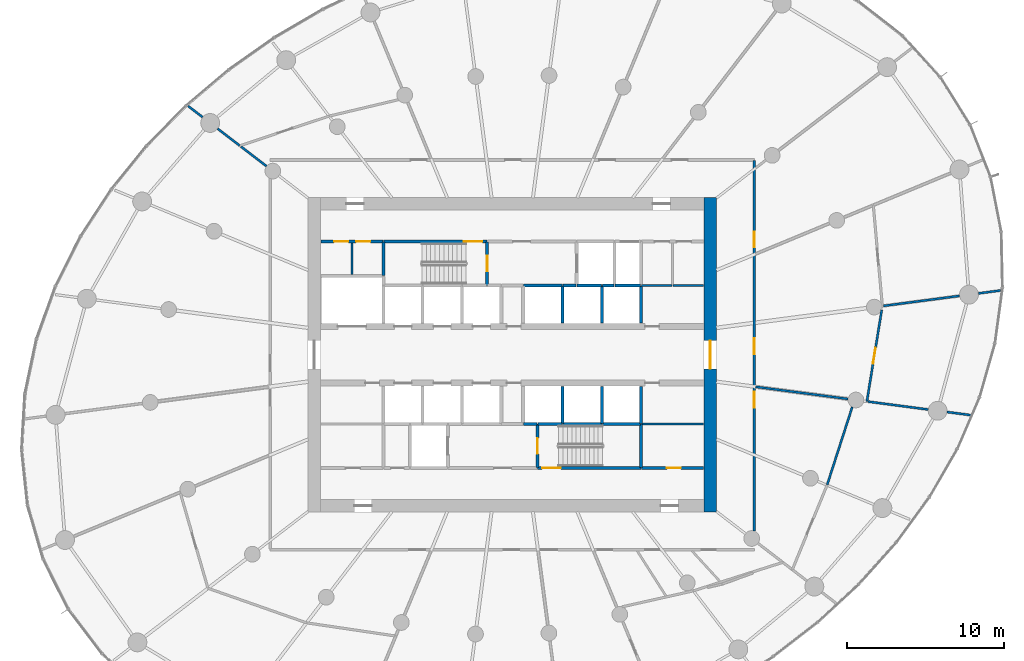
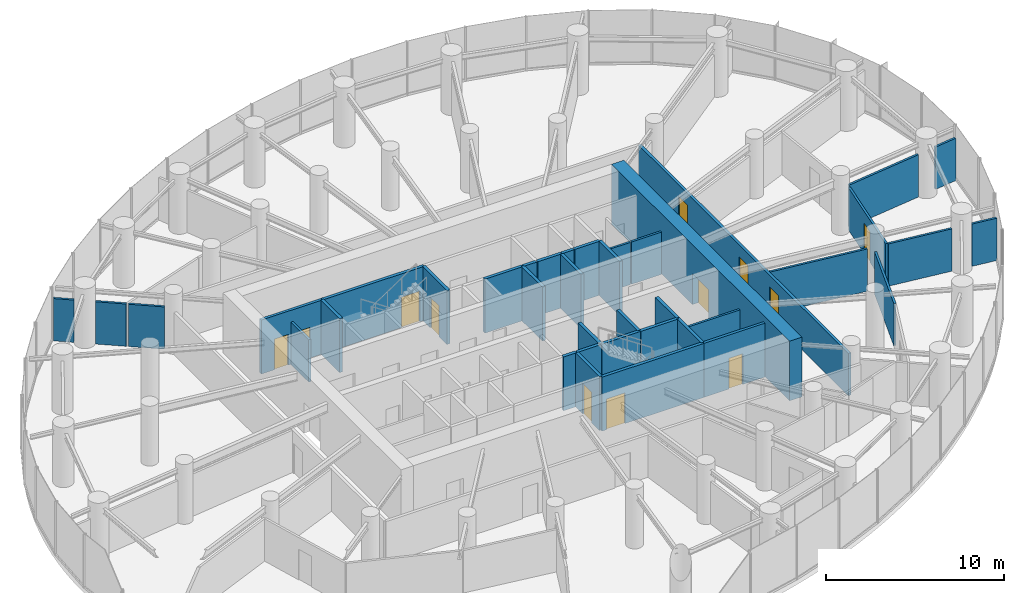
# One storey, part 12 of 17: 39 walls, 12 doors, 12 openings.
"""IFC4 building model written with IfcOpenShell, lengths in metres."""

import ifcopenshell
import ifcopenshell.guid

model = None  # the IFC model being written
_history = None  # IfcOwnerHistory: only IFC2X3 demands one
_inside = {}  # id of a spatial element -> (the spatial element, [elements in it])
_under = {}  # id of a project, library or spatial element -> (it, [spatial elements below it])
_declared = {}  # id of a project -> (the project, [libraries it declares])
_typed = {}  # id of a type object -> (the type object, [elements of that type])
_made_of = {}  # id of a material, layer set ... -> (it, [elements and type objects made of it])


def new_model(schema):
    """Start an empty IFC model of exactly this schema.

    Asked for "IFC4X3", IfcOpenShell would pick the latest addendum, in which some entities
    have other attributes; the version numbers below select the first issue.
    IFC2X3 requires an IfcOwnerHistory on every rooted entity: one is made here for all.
    """
    global model, _history
    if schema == "IFC4X3":
        model = ifcopenshell.file(schema_version=(4, 3, 0, 0))
    else:
        model = ifcopenshell.file(schema=schema)
    _inside.clear()
    _under.clear()
    _declared.clear()
    _typed.clear()
    _made_of.clear()
    _history = None
    if model.schema == "IFC2X3":
        org = make("IfcOrganization", Name="unknown")
        user = make(
            "IfcPersonAndOrganization",
            ThePerson=make("IfcPerson", FamilyName="unknown"),
            TheOrganization=org,
        )
        app = make(
            "IfcApplication",
            ApplicationDeveloper=org,
            Version="unknown",
            ApplicationFullName="unknown",
            ApplicationIdentifier="unknown",
        )
        _history = make(
            "IfcOwnerHistory",
            OwningUser=user,
            OwningApplication=app,
            ChangeAction="ADDED",
            CreationDate=0,
        )
    return model


def make(cls, **values):
    """One entity of the class cls with the attributes given. An attribute that is None is left unset."""
    return model.create_entity(
        cls, **{name: value for name, value in values.items() if value is not None}
    )


def rooted(cls, **values):
    """An entity with a GlobalId (a new one), such as an element, a storey or a relation."""
    return make(cls, GlobalId=ifcopenshell.guid.new(), OwnerHistory=_history, **values)


def si_unit(unit_type, name, prefix=None):
    """IfcSIUnit, for example si_unit("LENGTHUNIT", "METRE", prefix="MILLI")."""
    return make("IfcSIUnit", UnitType=unit_type, Prefix=prefix, Name=name)


def assignment(units):
    """IfcUnitAssignment: the units of a project."""
    return None if units is None else make("IfcUnitAssignment", Units=units)


def point(xyz):
    """IfcCartesianPoint."""
    return None if xyz is None else make("IfcCartesianPoint", Coordinates=xyz)


def direction(xyz):
    """IfcDirection."""
    return None if xyz is None else make("IfcDirection", DirectionRatios=xyz)


def frame(location, z_axis=None, x_axis=None):
    """IfcAxis2Placement3D, a coordinate frame: its origin and axes. An axis left out is left unset."""
    return make(
        "IfcAxis2Placement3D",
        Location=point(location),
        Axis=direction(z_axis),
        RefDirection=direction(x_axis),
    )


def frame_2d(location, x_axis=None):
    """IfcAxis2Placement2D, a coordinate frame in the plane: its origin and x axis."""
    return make(
        "IfcAxis2Placement2D", Location=point(location), RefDirection=direction(x_axis)
    )


def origin():
    """The frame at (0, 0, 0) with its axes left unset."""
    return frame((0.0, 0.0, 0.0))


def place(relative_to, where):
    """IfcLocalPlacement: puts the frame where relative to a parent placement (None: the world)."""
    return make(
        "IfcLocalPlacement", PlacementRelTo=relative_to, RelativePlacement=where
    )


def context(
    kind, dimensions, precision=None, world=None, true_north=None, identifier=None
):
    """IfcGeometricRepresentationContext, for example the 3D "Model" context."""
    return make(
        "IfcGeometricRepresentationContext",
        ContextIdentifier=identifier,
        ContextType=kind,
        CoordinateSpaceDimension=dimensions,
        Precision=precision,
        WorldCoordinateSystem=world,
        TrueNorth=true_north,
    )


def subcontext(parent, identifier, kind, view, scale=None):
    """IfcGeometricRepresentationSubContext, for example "Body" below "Model"."""
    return make(
        "IfcGeometricRepresentationSubContext",
        ContextIdentifier=identifier,
        ContextType=kind,
        ParentContext=parent,
        TargetScale=scale,
        TargetView=view,
    )


def project(units=None, contexts=None):
    """IfcProject with its units and contexts."""
    return rooted(
        "IfcProject",
        Name="project",
        RepresentationContexts=contexts,
        UnitsInContext=assignment(units),
    )


def spatial(cls, under=None, at=None, **own):
    """A site, building, storey or space (cls), placed at a placement, below another one or the project."""
    s = rooted(cls, ObjectPlacement=at, **own)
    if under is not None:
        _under.setdefault(under.id(), (under, []))[1].append(s)
    return s


def profile(cls, at=None, kind="AREA", **sizes):
    """A parametric profile (cls). Its sizes go by their IFC names, for example OverallWidth=200.0."""
    return make(cls, ProfileType=kind, Position=at, **sizes)


def rectangle(**sizes):
    """IfcRectangleProfileDef."""
    return profile("IfcRectangleProfileDef", **sizes)


def extrude(swept, where, along, depth):
    """IfcExtrudedAreaSolid: the profile swept, set in the frame where, extruded along a direction by depth."""
    return make(
        "IfcExtrudedAreaSolid",
        SweptArea=swept,
        Position=where,
        ExtrudedDirection=direction(along),
        Depth=depth,
    )


def shape(context_of_items, identifier, shape_type, items):
    """IfcShapeRepresentation: the items that make up one representation, for example the "Body"."""
    return make(
        "IfcShapeRepresentation",
        ContextOfItems=context_of_items,
        RepresentationIdentifier=identifier,
        RepresentationType=shape_type,
        Items=items,
    )


def source(mapping_origin, context_of_items, identifier, shape_type, items):
    """IfcRepresentationMap: a shape defined once, which mapped items show again and again."""
    return make(
        "IfcRepresentationMap",
        MappingOrigin=mapping_origin,
        MappedRepresentation=shape(context_of_items, identifier, shape_type, items),
    )


def transform(
    local_origin,
    x_axis=None,
    y_axis=None,
    z_axis=None,
    scale=None,
    scale2=None,
    scale3=None,
    uniform=True,
):
    """IfcCartesianTransformationOperator3D, or its non-uniform kind. x_axis, y_axis, z_axis: its Axis1, 2, 3."""
    if uniform:
        return make(
            "IfcCartesianTransformationOperator3D",
            Axis1=direction(x_axis),
            Axis2=direction(y_axis),
            LocalOrigin=point(local_origin),
            Scale=scale,
            Axis3=direction(z_axis),
        )
    return make(
        "IfcCartesianTransformationOperator3DnonUniform",
        Axis1=direction(x_axis),
        Axis2=direction(y_axis),
        LocalOrigin=point(local_origin),
        Scale=scale,
        Axis3=direction(z_axis),
        Scale2=scale2,
        Scale3=scale3,
    )


def mapped(mapping_source, mapping_target):
    """IfcMappedItem: shows the shape of a source again, moved by a transform."""
    return make(
        "IfcMappedItem", MappingSource=mapping_source, MappingTarget=mapping_target
    )


def material(Name=None, Category=None):
    """IfcMaterial."""
    return make("IfcMaterial", Name=Name, Category=Category)


def layer(
    of_material, thickness, ventilated=None, Name=None, Category=None, Priority=None
):
    """IfcMaterialLayer: one layer of a wall or slab, of a material (None: an air gap)."""
    return make(
        "IfcMaterialLayer",
        Material=of_material,
        LayerThickness=thickness,
        IsVentilated=ventilated,
        Name=Name,
        Category=Category,
        Priority=Priority,
    )


def layer_set(layers, Name=None):
    """IfcMaterialLayerSet."""
    return make("IfcMaterialLayerSet", MaterialLayers=layers, LayerSetName=Name)


def made_of(thing, what):
    """Note that an element or type object is made of a material, layer set ...; save() writes the relation."""
    if what is not None:
        _made_of.setdefault(what.id(), (what, []))[1].append(thing)
    return thing


def type_object(cls, material=None, **own):
    """A type object (cls), such as IfcWallType, which elements share."""
    return made_of(rooted(cls, **own), material)


def element(
    cls,
    number,
    at=None,
    inside=None,
    cuts=None,
    type_object=None,
    material=None,
    context=None,
    identifier="Body",
    shape_type=None,
    held_by="IfcProductDefinitionShape",
    body=None,
    shapes=None,
    **own,
):
    """One element of the class cls, such as IfcWall. Its Tag is "e" and its number.

    at: its placement. inside: the storey or other place that contains it. cuts: it is an
    opening in that element (IfcRelVoidsElement). A single representation is given by context,
    identifier, shape_type and body (its items); several are given by shapes. held_by: the class
    of the entity that holds the representations. save() writes the other relations.
    """
    e = rooted(cls, Tag="e%d" % number, ObjectPlacement=at, **own)
    if body is not None:
        shapes = [shape(context, identifier, shape_type, body)]
    if shapes is not None:
        e.Representation = make(held_by, Representations=shapes)
    if inside is not None:
        _inside.setdefault(inside.id(), (inside, []))[1].append(e)
    if cuts is not None:
        rooted(
            "IfcRelVoidsElement", RelatingBuildingElement=cuts, RelatedOpeningElement=e
        )
    if type_object is not None:
        _typed.setdefault(type_object.id(), (type_object, []))[1].append(e)
    return made_of(e, material)


def fill(opening, filler):
    """IfcRelFillsElement: the door or window that sits in an opening."""
    return rooted(
        "IfcRelFillsElement",
        RelatingOpeningElement=opening,
        RelatedBuildingElement=filler,
    )


def aggregate(whole, parts):
    """IfcRelAggregates: a whole, such as a stair, and the parts it consists of."""
    return rooted("IfcRelAggregates", RelatingObject=whole, RelatedObjects=parts)


def save(model, path):
    """Write the relations noted so far, then the file.

    IfcRelAggregates (storeys below a building ...), IfcRelContainedInSpatialStructure (elements
    in a storey), IfcRelDefinesByType, IfcRelAssociatesMaterial and IfcRelDeclares: one each for
    every whole, place, type object, material and project.
    """
    for whole, parts in _under.values():
        aggregate(whole, parts)
    for where, things in _inside.values():
        rooted(
            "IfcRelContainedInSpatialStructure",
            RelatedElements=things,
            RelatingStructure=where,
        )
    for kind, things in _typed.values():
        rooted("IfcRelDefinesByType", RelatedObjects=things, RelatingType=kind)
    for what, things in _made_of.values():
        rooted("IfcRelAssociatesMaterial", RelatedObjects=things, RelatingMaterial=what)
    for by, libraries in _declared.values():
        rooted("IfcRelDeclares", RelatingContext=by, RelatedDefinitions=libraries)
    model.write(path)


model = new_model("IFC4")

# Units and contexts
model_context = context("Model", 3, precision=1e-05, world=origin(), true_north=direction((0.0, 1.0)))
body_context = subcontext(model_context, "Body", "Model", "MODEL_VIEW")
ifc_project = project(units=[si_unit("LENGTHUNIT", "METRE"), si_unit("AREAUNIT", "SQUARE_METRE"), si_unit("VOLUMEUNIT", "CUBIC_METRE"), si_unit("PLANEANGLEUNIT", "RADIAN"), si_unit("MASSUNIT", "GRAM", prefix="KILO")], contexts=[model_context])

# Site, building, storey
site_placement = place(None, origin())
site = spatial("IfcSite", under=ifc_project, at=site_placement, CompositionType="ELEMENT")
building_placement = place(site_placement, origin())
building = spatial("IfcBuilding", under=site, at=building_placement, Name="Spindrift Exchange Tower", CompositionType="ELEMENT")
storey_placement = place(building_placement, frame((0.0, 0.0, 104.39990234375)))
storey = spatial("IfcBuildingStorey", under=building, at=storey_placement, Name="L24", CompositionType="ELEMENT", Elevation=104.39990234375)

# Wall, opening, door
ifc_material_1 = material(Name="Concrete 65 MPa", Category="concrete")
ifc_layer_1 = layer(ifc_material_1, 0.800048828125)
ifc_layer_set_1 = layer_set([ifc_layer_1], Name="RC Core Wall 800 Concrete 65 MPa")
wall_type_1 = type_object("IfcWallType", Name="RC Core Wall 800 Concrete 65 MPa", PredefinedType="SHEAR", material=ifc_layer_set_1)
wall_1_placement = place(storey_placement, frame((64.60009765625, 38.0, 0.0), z_axis=(0.0, 0.0, 1.0), x_axis=(0.0, 1.0, 0.0)))
wall_1 = element("IfcWall", 1, at=wall_1_placement, inside=storey, type_object=wall_type_1, Name="Core wall E L24", PredefinedType="SHEAR", context=body_context, shape_type="SweptSolid", body=[
    extrude(rectangle(XDim=20.0, YDim=0.800048828125, at=frame_2d((10.0, 0.0))), origin(), (0.0, 0.0, 1.0), 4.10009765625),
])
opening_1_placement = place(wall_1_placement, frame((9.10009765625, 0.0, 0.0)))
opening_1 = element("IfcOpeningElement", 2, at=opening_1_placement, cuts=wall_1, Name="Opening L24-D2", PredefinedType="OPENING", context=body_context, shape_type="SweptSolid", body=[
    extrude(rectangle(XDim=1.800048828125, YDim=2.10009765625, at=frame_2d((0.89990234375, 1.050048828125))), frame((0.0, 0.409912109375, 0.0), z_axis=(0.0, -1.0, 0.0), x_axis=(1.0, 0.0, 0.0)), (0.0, 0.0, 1.0), 0.820068359375),
])
ifc_material_2 = material(Name="Timber-core fire door", Category="wood")
door_type_1 = type_object("IfcDoorType", Name="DR-LOBBY-1800", OperationType="NOTDEFINED", PredefinedType="DOOR", material=ifc_material_2)
shared_shape_1 = source(origin(), body_context, "Body", "SweptSolid", [
    extrude(rectangle(XDim=1.800048828125, YDim=2.10009765625, at=frame_2d((0.89990234375, 1.050048828125))), frame((0.0, 0.02490234375, 0.0), z_axis=(0.0, -1.0, 0.0), x_axis=(1.0, 0.0, 0.0)), (0.0, 0.0, 1.0), 0.050048828125),
])
door_1_placement = place(opening_1_placement, origin())
door_1 = element("IfcDoor", 3, at=door_1_placement, inside=storey, type_object=door_type_1, Name="L24 Lobby door 2", OperationType="SINGLE_SWING_RIGHT", OverallHeight=2.10009765625, OverallWidth=1.800048828125, PredefinedType="DOOR", context=body_context, shape_type="MappedRepresentation", body=[
    mapped(shared_shape_1, transform((0.0, 0.0, 0.0), scale=1.0)),
])
fill(opening_1, door_1)

ifc_material_3 = material(Name="Fire-rated plasterboard partition", Category="gypsum")
ifc_layer_2 = layer(ifc_material_3, 0.179931640625)
ifc_layer_set_2 = layer_set([ifc_layer_2], Name="W-CORR-180")
wall_type_2 = type_object("IfcWallType", Name="W-CORR-180", PredefinedType="PARTITIONING", material=ifc_layer_set_2)
wall_2_placement = place(storey_placement, frame((60.22998046875, 40.800048828125, 0.0), z_axis=(0.0, 0.0, 1.0), x_axis=(1.0, 0.0, 0.0)))
wall_2 = element("IfcWall", 4, at=wall_2_placement, inside=storey, type_object=wall_type_2, Name="L24 Partition wall 61", PredefinedType="PARTITIONING", context=body_context, shape_type="SweptSolid", body=[
    extrude(rectangle(XDim=3.949951171875, YDim=0.179931640625, at=frame_2d((1.97509765625, 0.0))), origin(), (0.0, 0.0, 1.0), 3.7001953125),
])
opening_2_placement = place(wall_2_placement, frame((1.60009765625, 0.0, 0.0)))
opening_2 = element("IfcOpeningElement", 5, at=opening_2_placement, cuts=wall_2, Name="Opening L24-D53", PredefinedType="OPENING", context=body_context, shape_type="SweptSolid", body=[
    extrude(rectangle(XDim=0.89990234375, YDim=2.10009765625, at=frame_2d((0.449951171875, 1.050048828125))), frame((0.0, 0.099853515625, 0.0), z_axis=(0.0, -1.0, 0.0), x_axis=(1.0, 0.0, 0.0)), (0.0, 0.0, 1.0), 0.199951171875),
])
ifc_material_4 = material(Name="Steel access door", Category="steel")
door_type_2 = type_object("IfcDoorType", Name="DR-RISER-900", OperationType="NOTDEFINED", PredefinedType="DOOR", material=ifc_material_4)
shared_shape_2 = source(origin(), body_context, "Body", "SweptSolid", [
    extrude(rectangle(XDim=0.89990234375, YDim=2.10009765625, at=frame_2d((0.449951171875, 1.050048828125))), frame((0.0, 0.02490234375, 0.0), z_axis=(0.0, -1.0, 0.0), x_axis=(1.0, 0.0, 0.0)), (0.0, 0.0, 1.0), 0.050048828125),
])
door_2_placement = place(opening_2_placement, origin())
door_2 = element("IfcDoor", 6, at=door_2_placement, inside=storey, type_object=door_type_2, Name="L24 Riser door 53", OperationType="SINGLE_SWING_LEFT", OverallHeight=2.10009765625, OverallWidth=0.89990234375, PredefinedType="DOOR", context=body_context, shape_type="MappedRepresentation", body=[
    mapped(shared_shape_2, transform((0.0, 0.0, 0.0), scale=1.0)),
])
fill(opening_2, door_2)

# Wall, openings, doors
wall_3_placement = place(storey_placement, frame((43.77001953125, 55.199951171875, 0.0), z_axis=(0.0, 0.0, 1.0), x_axis=(-1.0, 0.0, 0.0)))
wall_3 = element("IfcWall", 7, at=wall_3_placement, inside=storey, type_object=wall_type_2, Name="L24 Partition wall 64", PredefinedType="PARTITIONING", context=body_context, shape_type="SweptSolid", body=[
    extrude(rectangle(XDim=3.949951171875, YDim=0.179931640625, at=frame_2d((1.97509765625, 0.0))), origin(), (0.0, 0.0, 1.0), 3.7001953125),
])
opening_3_placement = place(wall_3_placement, frame((2.199951171875, 0.0, 0.0)))
opening_3 = element("IfcOpeningElement", 8, at=opening_3_placement, cuts=wall_3, Name="Opening L24-D46", PredefinedType="OPENING", context=body_context, shape_type="SweptSolid", body=[
    extrude(rectangle(XDim=0.89990234375, YDim=2.10009765625, at=frame_2d((0.449951171875, 1.050048828125))), frame((0.0, 0.099853515625, 0.0), z_axis=(0.0, -1.0, 0.0), x_axis=(1.0, 0.0, 0.0)), (0.0, 0.0, 1.0), 0.199951171875),
])
opening_4_placement = place(wall_3_placement, frame((0.800048828125, 0.0, 0.0)))
opening_4 = element("IfcOpeningElement", 9, at=opening_4_placement, cuts=wall_3, Name="Opening L24-D47", PredefinedType="OPENING", context=body_context, shape_type="SweptSolid", body=[
    extrude(rectangle(XDim=0.89990234375, YDim=2.10009765625, at=frame_2d((0.449951171875, 1.050048828125))), frame((0.0, 0.099853515625, 0.0), z_axis=(0.0, -1.0, 0.0), x_axis=(1.0, 0.0, 0.0)), (0.0, 0.0, 1.0), 0.199951171875),
])
door_3_placement = place(opening_3_placement, origin())
door_3 = element("IfcDoor", 10, at=door_3_placement, inside=storey, type_object=door_type_2, Name="L24 Riser door 46", OperationType="SINGLE_SWING_RIGHT", OverallHeight=2.10009765625, OverallWidth=0.89990234375, PredefinedType="DOOR", context=body_context, shape_type="MappedRepresentation", body=[
    mapped(shared_shape_2, transform((0.0, 0.0, 0.0), scale=1.0)),
])
fill(opening_3, door_3)
door_4_placement = place(opening_4_placement, origin())
door_4 = element("IfcDoor", 11, at=door_4_placement, inside=storey, type_object=door_type_2, Name="L24 Riser door 47", OperationType="SINGLE_SWING_LEFT", OverallHeight=2.10009765625, OverallWidth=0.89990234375, PredefinedType="DOOR", context=body_context, shape_type="MappedRepresentation", body=[
    mapped(shared_shape_2, transform((0.0, 0.0, 0.0), scale=1.0)),
])
fill(opening_4, door_4)

# Walls
ifc_layer_3 = layer(ifc_material_3, 0.139892578125)
ifc_layer_set_3 = layer_set([ifc_layer_3], Name="W-PART-140")
wall_type_3 = type_object("IfcWallType", Name="W-PART-140", PredefinedType="PARTITIONING", material=ifc_layer_set_3)
wall_4_placement = place(storey_placement, frame((60.22998046875, 43.60009765625, 0.0), z_axis=(0.0, 0.0, 1.0), x_axis=(1.0, 0.0, 0.0)))
element("IfcWall", 12, at=wall_4_placement, inside=storey, type_object=wall_type_3, Name="L24 Partition wall 93", PredefinedType="PARTITIONING", context=body_context, shape_type="SweptSolid", body=[
    extrude(rectangle(XDim=3.949951171875, YDim=0.139892578125, at=frame_2d((1.97509765625, 0.0))), origin(), (0.0, 0.0, 1.0), 2.900146484375),
])
wall_5_placement = place(storey_placement, frame((74.631591796875, 45.0205078125, 0.0), z_axis=(0.0, 0.0, 1.0), x_axis=(0.991447632366, -0.130505142718, 0.0)))
element("IfcWall", 13, at=wall_5_placement, inside=storey, type_object=wall_type_3, Name="L24 Partition wall 97", PredefinedType="PARTITIONING", context=body_context, shape_type="SweptSolid", body=[
    extrude(rectangle(XDim=3.86669921875, YDim=0.139892578125, at=frame_2d((1.933349609375, 0.0))), origin(), (0.0, 0.0, 1.0), 2.900146484375),
])
wall_6_placement = place(storey_placement, frame((41.800048828125, 53.10009765625, 0.0), z_axis=(0.0, 0.0, 1.0), x_axis=(0.0, 1.0, 0.0)))
element("IfcWall", 14, at=wall_6_placement, inside=storey, type_object=wall_type_3, Name="L24 Partition wall 102", PredefinedType="PARTITIONING", context=body_context, shape_type="SweptSolid", body=[
    extrude(rectangle(XDim=2.010009765625, YDim=0.139892578125, at=frame_2d((1.0048828125, 0.0))), origin(), (0.0, 0.0, 1.0), 2.900146484375),
])
wall_7_placement = place(storey_placement, frame((62.169921875, 52.39990234375, 0.0), z_axis=(0.0, 0.0, 1.0), x_axis=(-1.0, 0.0, 0.0)))
element("IfcWall", 15, at=wall_7_placement, inside=storey, type_object=wall_type_3, Name="L24 Partition wall 105", PredefinedType="PARTITIONING", context=body_context, shape_type="SweptSolid", body=[
    extrude(rectangle(XDim=1.93994140625, YDim=0.139892578125, at=frame_2d((0.969970703125, 0.0))), origin(), (0.0, 0.0, 1.0), 2.900146484375),
])
wall_8_placement = place(storey_placement, frame((64.179931640625, 52.39990234375, 0.0), z_axis=(0.0, 0.0, 1.0), x_axis=(-1.0, 0.0, 0.0)))
element("IfcWall", 16, at=wall_8_placement, inside=storey, type_object=wall_type_3, Name="L24 Partition wall 107", PredefinedType="PARTITIONING", context=body_context, shape_type="SweptSolid", body=[
    extrude(rectangle(XDim=1.949951171875, YDim=0.139892578125, at=frame_2d((0.97509765625, 0.0))), origin(), (0.0, 0.0, 1.0), 2.900146484375),
])
wall_9_placement = place(storey_placement, frame((79.663818359375, 44.35791015625, 0.0), z_axis=(0.0, 0.0, 1.0), x_axis=(0.991447745975, -0.130504279629, 0.0)))
element("IfcWall", 17, at=wall_9_placement, inside=storey, type_object=wall_type_3, Name="L24 Partition wall 112", PredefinedType="PARTITIONING", context=body_context, shape_type="SweptSolid", body=[
    extrude(rectangle(XDim=1.522705078125, YDim=0.139892578125, at=frame_2d((0.76123046875, 0.0))), origin(), (0.0, 0.0, 1.0), 2.900146484375),
])
ifc_layer_4 = layer(ifc_material_3, 0.139892578125)
ifc_layer_set_4 = layer_set([ifc_layer_4], Name="W-PLANT-140")
wall_type_4 = type_object("IfcWallType", Name="W-PLANT-140", PredefinedType="PARTITIONING", material=ifc_layer_set_4)
wall_10_placement = place(storey_placement, frame((67.489990234375, 45.960693359375, 0.0), z_axis=(0.0, 0.0, 1.0), x_axis=(0.991445034615, -0.130524876315, 0.0)))
element("IfcWall", 18, at=wall_10_placement, inside=storey, type_object=wall_type_4, Name="L24 Partition wall 74", PredefinedType="PARTITIONING", context=body_context, shape_type="SweptSolid", body=[
    extrude(rectangle(XDim=5.923828125, YDim=0.139892578125, at=frame_2d((2.9619140625, 0.0))), origin(), (0.0, 0.0, 1.0), 2.900146484375),
])

# Wall, opening, door
wall_11_placement = place(storey_placement, frame((75.50732421875, 50.858154296875, 0.0), z_axis=(0.0, 0.0, 1.0), x_axis=(-0.160052648202, -0.987108479248, 0.0)))
wall_11 = element("IfcWall", 19, at=wall_11_placement, inside=storey, type_object=wall_type_4, Name="L24 Partition wall 77", PredefinedType="PARTITIONING", context=body_context, shape_type="SweptSolid", body=[
    extrude(rectangle(XDim=5.90478515625, YDim=0.139892578125, at=frame_2d((2.952392578125, 0.0))), origin(), (0.0, 0.0, 1.0), 2.900146484375),
])
opening_5_placement = place(wall_11_placement, frame((2.45458984375, 0.0, 0.0)))
opening_5 = element("IfcOpeningElement", 20, at=opening_5_placement, cuts=wall_11, Name="Opening L24-D31", PredefinedType="OPENING", context=body_context, shape_type="SweptSolid", body=[
    extrude(rectangle(XDim=1.0, YDim=2.10009765625, at=frame_2d((0.5, 1.050048828125))), frame((0.0, 0.079833984375, 0.0), z_axis=(0.0, -1.0, 0.0), x_axis=(1.0, 0.0, 0.0)), (0.0, 0.0, 1.0), 0.159912109375),
])
door_type_3 = type_object("IfcDoorType", Name="DR-ROOM-1000", OperationType="NOTDEFINED", PredefinedType="DOOR", material=ifc_material_2)
shared_shape_3 = source(origin(), body_context, "Body", "SweptSolid", [
    extrude(rectangle(XDim=1.0, YDim=2.10009765625, at=frame_2d((0.5, 1.050048828125))), frame((0.0, 0.02490234375, 0.0), z_axis=(0.0, -1.0, 0.0), x_axis=(1.0, 0.0, 0.0)), (0.0, 0.0, 1.0), 0.050048828125),
])
door_5_placement = place(opening_5_placement, origin())
door_5 = element("IfcDoor", 21, at=door_5_placement, inside=storey, type_object=door_type_3, Name="L24 Door 31", OperationType="SINGLE_SWING_LEFT", OverallHeight=2.10009765625, OverallWidth=1.0, PredefinedType="DOOR", context=body_context, shape_type="MappedRepresentation", body=[
    mapped(shared_shape_3, transform((0.0, 0.0, 0.0), scale=1.0)),
])
fill(opening_5, door_5)

# Walls
wall_12_placement = place(storey_placement, frame((72.037109375, 39.732666015625, 0.0), z_axis=(0.0, 0.0, 1.0), x_axis=(0.307028885335, 0.951700196265, 0.0)))
element("IfcWall", 22, at=wall_12_placement, inside=storey, type_object=wall_type_4, Name="L24 Partition wall 82", PredefinedType="PARTITIONING", context=body_context, shape_type="SweptSolid", body=[
    extrude(rectangle(XDim=5.191650390625, YDim=0.139892578125, at=frame_2d((2.595703125, 0.0))), origin(), (0.0, 0.0, 1.0), 2.900146484375),
])
wall_13_placement = place(storey_placement, frame((75.615966796875, 51.109130859375, 0.0), z_axis=(0.0, 0.0, 1.0), x_axis=(0.991441867731, 0.130548929177, 0.0)))
element("IfcWall", 23, at=wall_13_placement, inside=storey, type_object=wall_type_4, Name="L24 Partition wall 86", PredefinedType="PARTITIONING", context=body_context, shape_type="SweptSolid", body=[
    extrude(rectangle(XDim=4.8828125, YDim=0.139892578125, at=frame_2d((2.44140625, 0.0))), origin(), (0.0, 0.0, 1.0), 2.900146484375),
])
wall_14_placement = place(storey_placement, frame((36.367431640625, 59.995361328125, 0.0), z_axis=(0.0, 0.0, 1.0), x_axis=(-0.793389614633, 0.608714152449, 0.0)))
element("IfcWall", 24, at=wall_14_placement, inside=storey, type_object=wall_type_4, Name="L24 Partition wall 103", PredefinedType="PARTITIONING", context=body_context, shape_type="SweptSolid", body=[
    extrude(rectangle(XDim=2.049072265625, YDim=0.139892578125, at=frame_2d((1.0244140625, 0.0))), origin(), (0.0, 0.0, 1.0), 2.900146484375),
])
wall_15_placement = place(storey_placement, frame((34.65087890625, 61.3125, 0.0), z_axis=(0.0, 0.0, 1.0), x_axis=(-0.793368751306, 0.608741344456, 0.0)))
element("IfcWall", 25, at=wall_15_placement, inside=storey, type_object=wall_type_4, Name="L24 Partition wall 108", PredefinedType="PARTITIONING", context=body_context, shape_type="SweptSolid", body=[
    extrude(rectangle(XDim=1.75341796875, YDim=0.139892578125, at=frame_2d((0.876708984375, 0.0))), origin(), (0.0, 0.0, 1.0), 2.900146484375),
])
wall_16_placement = place(storey_placement, frame((81.655517578125, 51.904296875, 0.0), z_axis=(0.0, 0.0, 1.0), x_axis=(0.991440859851, 0.130556583206, 0.0)))
element("IfcWall", 26, at=wall_16_placement, inside=storey, type_object=wall_type_4, Name="L24 Partition wall 114", PredefinedType="PARTITIONING", context=body_context, shape_type="SweptSolid", body=[
    extrude(rectangle(XDim=1.423095703125, YDim=0.139892578125, at=frame_2d((0.71142578125, 0.0))), origin(), (0.0, 0.0, 1.0), 2.900146484375),
])
wall_17_placement = place(storey_placement, frame((32.30078125, 63.11572265625, 0.0), z_axis=(0.0, 0.0, 1.0), x_axis=(-0.793332880396, 0.608788091935, 0.0)))
element("IfcWall", 27, at=wall_17_placement, inside=storey, type_object=wall_type_4, Name="L24 Partition wall 117", PredefinedType="PARTITIONING", context=body_context, shape_type="SweptSolid", body=[
    extrude(rectangle(XDim=1.1640625, YDim=0.139892578125, at=frame_2d((0.58203125, 0.0))), origin(), (0.0, 0.0, 1.0), 2.900146484375),
])

# Wall, openings, doors
ifc_layer_5 = layer(ifc_material_3, 0.179931640625)
ifc_layer_set_5 = layer_set([ifc_layer_5], Name="W-PLANT-180")
wall_type_5 = type_object("IfcWallType", Name="W-PLANT-180", PredefinedType="PARTITIONING", material=ifc_layer_set_5)
wall_18_placement = place(storey_placement, frame((67.39990234375, 60.3701171875, 0.0), z_axis=(0.0, 0.0, 1.0), x_axis=(0.0, -1.0, 0.0)))
wall_18 = element("IfcWall", 28, at=wall_18_placement, inside=storey, type_object=wall_type_5, Name="L24 Partition wall 59", PredefinedType="PARTITIONING", context=body_context, shape_type="SweptSolid", body=[
    extrude(rectangle(XDim=23.58251953125, YDim=0.179931640625, at=frame_2d((11.791259765625, 0.0))), origin(), (0.0, 0.0, 1.0), 2.900146484375),
])
opening_6_placement = place(wall_18_placement, frame((14.732421875, 0.0, 0.0)))
opening_6 = element("IfcOpeningElement", 29, at=opening_6_placement, cuts=wall_18, Name="Opening L24-D27", PredefinedType="OPENING", context=body_context, shape_type="SweptSolid", body=[
    extrude(rectangle(XDim=1.0, YDim=2.10009765625, at=frame_2d((0.5, 1.050048828125))), frame((0.0, 0.099853515625, 0.0), z_axis=(0.0, -1.0, 0.0), x_axis=(1.0, 0.0, 0.0)), (0.0, 0.0, 1.0), 0.199951171875),
])
opening_7_placement = place(wall_18_placement, frame((11.33251953125, 0.0, 0.0)))
opening_7 = element("IfcOpeningElement", 30, at=opening_7_placement, cuts=wall_18, Name="Opening L24-D30", PredefinedType="OPENING", context=body_context, shape_type="SweptSolid", body=[
    extrude(rectangle(XDim=1.0, YDim=2.10009765625, at=frame_2d((0.5, 1.050048828125))), frame((0.0, 0.099853515625, 0.0), z_axis=(0.0, -1.0, 0.0), x_axis=(1.0, 0.0, 0.0)), (0.0, 0.0, 1.0), 0.199951171875),
])
opening_8_placement = place(wall_18_placement, frame((4.532470703125, 0.0, 0.0)))
opening_8 = element("IfcOpeningElement", 31, at=opening_8_placement, cuts=wall_18, Name="Opening L24-D33", PredefinedType="OPENING", context=body_context, shape_type="SweptSolid", body=[
    extrude(rectangle(XDim=1.0, YDim=2.10009765625, at=frame_2d((0.5, 1.050048828125))), frame((0.0, 0.099853515625, 0.0), z_axis=(0.0, -1.0, 0.0), x_axis=(1.0, 0.0, 0.0)), (0.0, 0.0, 1.0), 0.199951171875),
])
door_6_placement = place(opening_6_placement, origin())
door_6 = element("IfcDoor", 32, at=door_6_placement, inside=storey, type_object=door_type_3, Name="L24 Door 27", OperationType="SINGLE_SWING_LEFT", OverallHeight=2.10009765625, OverallWidth=1.0, PredefinedType="DOOR", context=body_context, shape_type="MappedRepresentation", body=[
    mapped(shared_shape_3, transform((0.0, 0.0, 0.0), scale=1.0)),
])
fill(opening_6, door_6)
door_7_placement = place(opening_7_placement, origin())
door_7 = element("IfcDoor", 33, at=door_7_placement, inside=storey, type_object=door_type_3, Name="L24 Door 30", OperationType="SINGLE_SWING_RIGHT", OverallHeight=2.10009765625, OverallWidth=1.0, PredefinedType="DOOR", context=body_context, shape_type="MappedRepresentation", body=[
    mapped(shared_shape_3, transform((0.0, 0.0, 0.0), scale=1.0)),
])
fill(opening_7, door_7)
door_8_placement = place(opening_8_placement, origin())
door_8 = element("IfcDoor", 34, at=door_8_placement, inside=storey, type_object=door_type_3, Name="L24 Door 33", OperationType="SINGLE_SWING_LEFT", OverallHeight=2.10009765625, OverallWidth=1.0, PredefinedType="DOOR", context=body_context, shape_type="MappedRepresentation", body=[
    mapped(shared_shape_3, transform((0.0, 0.0, 0.0), scale=1.0)),
])
fill(opening_8, door_8)

# Walls
ifc_material_5 = material(Name="Concrete 40 MPa", Category="concrete")
ifc_layer_6 = layer(ifc_material_5, 0.199951171875)
ifc_layer_set_6 = layer_set([ifc_layer_6], Name="W-SHAFT-200")
wall_type_6 = type_object("IfcWallType", Name="W-SHAFT-200", PredefinedType="SOLIDWALL", material=ifc_layer_set_6)
wall_19_placement = place(storey_placement, frame((55.199951171875, 52.39990234375, 0.0), z_axis=(0.0, 0.0, 1.0), x_axis=(-1.0, 0.0, 0.0)))
element("IfcWall", 35, at=wall_19_placement, inside=storey, type_object=wall_type_6, Name="L24 Shaft wall 18", PredefinedType="SOLIDWALL", context=body_context, shape_type="SweptSolid", body=[
    extrude(rectangle(XDim=2.5, YDim=0.199951171875, at=frame_2d((1.25, 0.0))), origin(), (0.0, 0.0, 1.0), 3.7001953125),
])
wall_20_placement = place(storey_placement, frame((55.199951171875, 50.010009765625, 0.0), z_axis=(0.0, 0.0, 1.0), x_axis=(0.0, 1.0, 0.0)))
element("IfcWall", 36, at=wall_20_placement, inside=storey, type_object=wall_type_6, Name="L24 Shaft wall 34", PredefinedType="SOLIDWALL", context=body_context, shape_type="SweptSolid", body=[
    extrude(rectangle(XDim=2.360107421875, YDim=0.199951171875, at=frame_2d((1.18017578125, 0.0))), origin(), (0.0, 0.0, 1.0), 3.7001953125),
])
wall_21_placement = place(storey_placement, frame((57.699951171875, 50.010009765625, 0.0), z_axis=(0.0, 0.0, 1.0), x_axis=(0.0, 1.0, 0.0)))
element("IfcWall", 37, at=wall_21_placement, inside=storey, type_object=wall_type_6, Name="L24 Shaft wall 36", PredefinedType="SOLIDWALL", context=body_context, shape_type="SweptSolid", body=[
    extrude(rectangle(XDim=2.389892578125, YDim=0.199951171875, at=frame_2d((1.19482421875, 0.0))), origin(), (0.0, 0.0, 1.0), 3.7001953125),
])
wall_22_placement = place(storey_placement, frame((60.199951171875, 50.010009765625, 0.0), z_axis=(0.0, 0.0, 1.0), x_axis=(0.0, 1.0, 0.0)))
element("IfcWall", 38, at=wall_22_placement, inside=storey, type_object=wall_type_6, Name="L24 Shaft wall 38", PredefinedType="SOLIDWALL", context=body_context, shape_type="SweptSolid", body=[
    extrude(rectangle(XDim=2.360107421875, YDim=0.199951171875, at=frame_2d((1.18017578125, 0.0))), origin(), (0.0, 0.0, 1.0), 3.7001953125),
])
wall_23_placement = place(storey_placement, frame((60.169921875, 52.39990234375, 0.0), z_axis=(0.0, 0.0, 1.0), x_axis=(-1.0, 0.0, 0.0)))
element("IfcWall", 39, at=wall_23_placement, inside=storey, type_object=wall_type_6, Name="L24 Shaft wall 42", PredefinedType="SOLIDWALL", context=body_context, shape_type="SweptSolid", body=[
    extrude(rectangle(XDim=1.639892578125, YDim=0.199951171875, at=frame_2d((0.81982421875, 0.0))), origin(), (0.0, 0.0, 1.0), 3.7001953125),
])
wall_24_placement = place(storey_placement, frame((57.669921875, 52.39990234375, 0.0), z_axis=(0.0, 0.0, 1.0), x_axis=(-1.0, 0.0, 0.0)))
element("IfcWall", 40, at=wall_24_placement, inside=storey, type_object=wall_type_6, Name="L24 Shaft wall 47", PredefinedType="SOLIDWALL", context=body_context, shape_type="SweptSolid", body=[
    extrude(rectangle(XDim=1.5400390625, YDim=0.199951171875, at=frame_2d((0.77001953125, 0.0))), origin(), (0.0, 0.0, 1.0), 3.7001953125),
])
wall_25_placement = place(storey_placement, frame((56.070068359375, 52.39990234375, 0.0), z_axis=(0.0, 0.0, 1.0), x_axis=(-1.0, 0.0, 0.0)))
element("IfcWall", 41, at=wall_25_placement, inside=storey, type_object=wall_type_6, Name="L24 Shaft wall 53", PredefinedType="SOLIDWALL", context=body_context, shape_type="SweptSolid", body=[
    extrude(rectangle(XDim=0.840087890625, YDim=0.199951171875, at=frame_2d((0.419921875, 0.0))), origin(), (0.0, 0.0, 1.0), 3.7001953125),
])
wall_26_placement = place(storey_placement, frame((58.469970703125, 52.39990234375, 0.0), z_axis=(0.0, 0.0, 1.0), x_axis=(-1.0, 0.0, 0.0)))
element("IfcWall", 42, at=wall_26_placement, inside=storey, type_object=wall_type_6, Name="L24 Shaft wall 55", PredefinedType="SOLIDWALL", context=body_context, shape_type="SweptSolid", body=[
    extrude(rectangle(XDim=0.739990234375, YDim=0.199951171875, at=frame_2d((0.3701171875, 0.0))), origin(), (0.0, 0.0, 1.0), 3.7001953125),
])

# Wall, opening, door
ifc_layer_7 = layer(ifc_material_5, 0.199951171875)
ifc_layer_set_7 = layer_set([ifc_layer_7], Name="W-SHAFT-200-LB")
wall_type_7 = type_object("IfcWallType", Name="W-SHAFT-200-LB", PredefinedType="SOLIDWALL", material=ifc_layer_set_7)
wall_27_placement = place(storey_placement, frame((50.39990234375, 55.199951171875, 0.0), z_axis=(0.0, 0.0, 1.0), x_axis=(-1.0, 0.0, 0.0)))
wall_27 = element("IfcWall", 43, at=wall_27_placement, inside=storey, type_object=wall_type_7, Name="L24 Shaft wall 1", PredefinedType="SOLIDWALL", context=body_context, shape_type="SweptSolid", body=[
    extrude(rectangle(XDim=6.599853515625, YDim=0.199951171875, at=frame_2d((3.2998046875, 0.0))), origin(), (0.0, 0.0, 1.0), 3.7001953125),
])
opening_9_placement = place(wall_27_placement, frame((0.300048828125, 0.0, 0.0)))
opening_9 = element("IfcOpeningElement", 44, at=opening_9_placement, cuts=wall_27, Name="Opening L24-D13", PredefinedType="OPENING", context=body_context, shape_type="SweptSolid", body=[
    extrude(rectangle(XDim=1.199951171875, YDim=2.10009765625, at=frame_2d((0.60009765625, 1.050048828125))), frame((0.0, 0.10986328125, 0.0), z_axis=(0.0, -1.0, 0.0), x_axis=(1.0, 0.0, 0.0)), (0.0, 0.0, 1.0), 0.219970703125),
])
ifc_material_6 = material(Name="Steel fire door", Category="steel")
door_type_4 = type_object("IfcDoorType", Name="DR-STAIR-1200", OperationType="NOTDEFINED", PredefinedType="DOOR", material=ifc_material_6)
shared_shape_4 = source(origin(), body_context, "Body", "SweptSolid", [
    extrude(rectangle(XDim=1.199951171875, YDim=2.10009765625, at=frame_2d((0.60009765625, 1.050048828125))), frame((0.0, 0.02490234375, 0.0), z_axis=(0.0, -1.0, 0.0), x_axis=(1.0, 0.0, 0.0)), (0.0, 0.0, 1.0), 0.050048828125),
])
door_9_placement = place(opening_9_placement, origin())
door_9 = element("IfcDoor", 45, at=door_9_placement, inside=storey, type_object=door_type_4, Name="L24 Stair door 13", OperationType="SINGLE_SWING_LEFT", OverallHeight=2.10009765625, OverallWidth=1.199951171875, PredefinedType="DOOR", context=body_context, shape_type="MappedRepresentation", body=[
    mapped(shared_shape_4, transform((0.0, 0.0, 0.0), scale=1.0)),
])
fill(opening_9, door_9)

wall_28_placement = place(storey_placement, frame((53.60009765625, 40.800048828125, 0.0), z_axis=(0.0, 0.0, 1.0), x_axis=(1.0, 0.0, 0.0)))
wall_28 = element("IfcWall", 46, at=wall_28_placement, inside=storey, type_object=wall_type_7, Name="L24 Shaft wall 2", PredefinedType="SOLIDWALL", context=body_context, shape_type="SweptSolid", body=[
    extrude(rectangle(XDim=6.599853515625, YDim=0.199951171875, at=frame_2d((3.2998046875, 0.0))), origin(), (0.0, 0.0, 1.0), 3.7001953125),
])
opening_10_placement = place(wall_28_placement, frame((0.300048828125, 0.0, 0.0)))
opening_10 = element("IfcOpeningElement", 47, at=opening_10_placement, cuts=wall_28, Name="Opening L24-D16", PredefinedType="OPENING", context=body_context, shape_type="SweptSolid", body=[
    extrude(rectangle(XDim=1.199951171875, YDim=2.10009765625, at=frame_2d((0.60009765625, 1.050048828125))), frame((0.0, 0.10986328125, 0.0), z_axis=(0.0, -1.0, 0.0), x_axis=(1.0, 0.0, 0.0)), (0.0, 0.0, 1.0), 0.219970703125),
])
door_10_placement = place(opening_10_placement, origin())
door_10 = element("IfcDoor", 48, at=door_10_placement, inside=storey, type_object=door_type_4, Name="L24 Stair door 16", OperationType="SINGLE_SWING_RIGHT", OverallHeight=2.10009765625, OverallWidth=1.199951171875, PredefinedType="DOOR", context=body_context, shape_type="MappedRepresentation", body=[
    mapped(shared_shape_4, transform((0.0, 0.0, 0.0), scale=1.0)),
])
fill(opening_10, door_10)

wall_29_placement = place(storey_placement, frame((50.39990234375, 52.39990234375, 0.0), z_axis=(0.0, 0.0, 1.0), x_axis=(0.0, 1.0, 0.0)))
wall_29 = element("IfcWall", 49, at=wall_29_placement, inside=storey, type_object=wall_type_7, Name="L24 Shaft wall 9", PredefinedType="SOLIDWALL", context=body_context, shape_type="SweptSolid", body=[
    extrude(rectangle(XDim=2.77001953125, YDim=0.199951171875, at=frame_2d((1.385009765625, 0.0))), origin(), (0.0, 0.0, 1.0), 3.7001953125),
])
opening_11_placement = place(wall_29_placement, frame((0.89990234375, 0.0, 0.0)))
opening_11 = element("IfcOpeningElement", 50, at=opening_11_placement, cuts=wall_29, Name="Opening L24-D14", PredefinedType="OPENING", context=body_context, shape_type="SweptSolid", body=[
    extrude(rectangle(XDim=1.0, YDim=2.10009765625, at=frame_2d((0.5, 1.050048828125))), frame((0.0, 0.10986328125, 0.0), z_axis=(0.0, -1.0, 0.0), x_axis=(1.0, 0.0, 0.0)), (0.0, 0.0, 1.0), 0.219970703125),
])
door_type_5 = type_object("IfcDoorType", Name="DR-STAIR-1000", OperationType="NOTDEFINED", PredefinedType="DOOR", material=ifc_material_6)
shared_shape_5 = source(origin(), body_context, "Body", "SweptSolid", [
    extrude(rectangle(XDim=1.0, YDim=2.10009765625, at=frame_2d((0.5, 1.050048828125))), frame((0.0, 0.02490234375, 0.0), z_axis=(0.0, -1.0, 0.0), x_axis=(1.0, 0.0, 0.0)), (0.0, 0.0, 1.0), 0.050048828125),
])
door_11_placement = place(opening_11_placement, origin())
door_11 = element("IfcDoor", 51, at=door_11_placement, inside=storey, type_object=door_type_5, Name="L24 Stair door 14", OperationType="SINGLE_SWING_RIGHT", OverallHeight=2.10009765625, OverallWidth=1.0, PredefinedType="DOOR", context=body_context, shape_type="MappedRepresentation", body=[
    mapped(shared_shape_5, transform((0.0, 0.0, 0.0), scale=1.0)),
])
fill(opening_11, door_11)

# Wall
wall_30_placement = place(storey_placement, frame((60.199951171875, 40.830078125, 0.0), z_axis=(0.0, 0.0, 1.0), x_axis=(0.0, 1.0, 0.0)))
element("IfcWall", 52, at=wall_30_placement, inside=storey, type_object=wall_type_7, Name="L24 Shaft wall 10", PredefinedType="SOLIDWALL", context=body_context, shape_type="SweptSolid", body=[
    extrude(rectangle(XDim=2.77001953125, YDim=0.199951171875, at=frame_2d((1.385009765625, 0.0))), origin(), (0.0, 0.0, 1.0), 3.7001953125),
])

# Wall, opening, door
wall_31_placement = place(storey_placement, frame((53.60009765625, 43.60009765625, 0.0), z_axis=(0.0, 0.0, 1.0), x_axis=(0.0, -1.0, 0.0)))
wall_31 = element("IfcWall", 53, at=wall_31_placement, inside=storey, type_object=wall_type_7, Name="L24 Shaft wall 11", PredefinedType="SOLIDWALL", context=body_context, shape_type="SweptSolid", body=[
    extrude(rectangle(XDim=2.77001953125, YDim=0.199951171875, at=frame_2d((1.385009765625, 0.0))), origin(), (0.0, 0.0, 1.0), 3.7001953125),
])
opening_12_placement = place(wall_31_placement, frame((0.89990234375, 0.0, 0.0)))
opening_12 = element("IfcOpeningElement", 54, at=opening_12_placement, cuts=wall_31, Name="Opening L24-D17", PredefinedType="OPENING", context=body_context, shape_type="SweptSolid", body=[
    extrude(rectangle(XDim=1.0, YDim=2.10009765625, at=frame_2d((0.5, 1.050048828125))), frame((0.0, 0.10986328125, 0.0), z_axis=(0.0, -1.0, 0.0), x_axis=(1.0, 0.0, 0.0)), (0.0, 0.0, 1.0), 0.219970703125),
])
door_12_placement = place(opening_12_placement, origin())
door_12 = element("IfcDoor", 55, at=door_12_placement, inside=storey, type_object=door_type_5, Name="L24 Stair door 17", OperationType="SINGLE_SWING_LEFT", OverallHeight=2.10009765625, OverallWidth=1.0, PredefinedType="DOOR", context=body_context, shape_type="MappedRepresentation", body=[
    mapped(shared_shape_5, transform((0.0, 0.0, 0.0), scale=1.0)),
])
fill(opening_12, door_12)

# Walls
wall_32_placement = place(storey_placement, frame((55.199951171875, 43.60009765625, 0.0), z_axis=(0.0, 0.0, 1.0), x_axis=(1.0, 0.0, 0.0)))
element("IfcWall", 56, at=wall_32_placement, inside=storey, type_object=wall_type_7, Name="L24 Shaft wall 19", PredefinedType="SOLIDWALL", context=body_context, shape_type="SweptSolid", body=[
    extrude(rectangle(XDim=2.5, YDim=0.199951171875, at=frame_2d((1.25, 0.0))), origin(), (0.0, 0.0, 1.0), 3.7001953125),
])
wall_33_placement = place(storey_placement, frame((57.72998046875, 43.60009765625, 0.0), z_axis=(0.0, 0.0, 1.0), x_axis=(1.0, 0.0, 0.0)))
element("IfcWall", 57, at=wall_33_placement, inside=storey, type_object=wall_type_7, Name="L24 Shaft wall 20", PredefinedType="SOLIDWALL", context=body_context, shape_type="SweptSolid", body=[
    extrude(rectangle(XDim=2.43994140625, YDim=0.199951171875, at=frame_2d((1.219970703125, 0.0))), origin(), (0.0, 0.0, 1.0), 3.7001953125),
])
for number, where, z_axis, x_axis, name in (
    (58, (55.199951171875, 43.6298828125, 0.0), (0.0, 0.0, 1.0), (0.0, 1.0, 0.0), "L24 Shaft wall 33"),
    (59, (57.699951171875, 43.6298828125, 0.0), (0.0, 0.0, 1.0), (0.0, 1.0, 0.0), "L24 Shaft wall 35"),
    (60, (60.199951171875, 43.6298828125, 0.0), (0.0, 0.0, 1.0), (0.0, 1.0, 0.0), "L24 Shaft wall 37"),
):
    element("IfcWall", number, at=place(storey_placement, frame(where, z_axis=z_axis, x_axis=x_axis)), inside=storey, type_object=wall_type_7, Name=name, PredefinedType="SOLIDWALL", context=body_context, shape_type="SweptSolid", body=[
        extrude(rectangle(XDim=2.360107421875, YDim=0.199951171875, at=frame_2d((1.18017578125, 0.0))), origin(), (0.0, 0.0, 1.0), 3.7001953125),
    ])
wall_34_placement = place(storey_placement, frame((43.800048828125, 55.169921875, 0.0), z_axis=(0.0, 0.0, 1.0), x_axis=(0.0, -1.0, 0.0)))
element("IfcWall", 61, at=wall_34_placement, inside=storey, type_object=wall_type_7, Name="L24 Shaft wall 39", PredefinedType="SOLIDWALL", context=body_context, shape_type="SweptSolid", body=[
    extrude(rectangle(XDim=2.139892578125, YDim=0.199951171875, at=frame_2d((1.06982421875, 0.0))), origin(), (0.0, 0.0, 1.0), 3.7001953125),
])
wall_35_placement = place(storey_placement, frame((53.6298828125, 43.60009765625, 0.0), z_axis=(0.0, 0.0, 1.0), x_axis=(1.0, 0.0, 0.0)))
element("IfcWall", 62, at=wall_35_placement, inside=storey, type_object=wall_type_7, Name="L24 Shaft wall 46", PredefinedType="SOLIDWALL", context=body_context, shape_type="SweptSolid", body=[
    extrude(rectangle(XDim=1.5400390625, YDim=0.199951171875, at=frame_2d((0.77001953125, 0.0))), origin(), (0.0, 0.0, 1.0), 3.7001953125),
])
wall_36_placement = place(storey_placement, frame((52.72998046875, 43.60009765625, 0.0), z_axis=(0.0, 0.0, 1.0), x_axis=(1.0, 0.0, 0.0)))
element("IfcWall", 63, at=wall_36_placement, inside=storey, type_object=wall_type_7, Name="L24 Shaft wall 52", PredefinedType="SOLIDWALL", context=body_context, shape_type="SweptSolid", body=[
    extrude(rectangle(XDim=0.840087890625, YDim=0.199951171875, at=frame_2d((0.419921875, 0.0))), origin(), (0.0, 0.0, 1.0), 3.7001953125),
])

save(model, "model.ifc")
